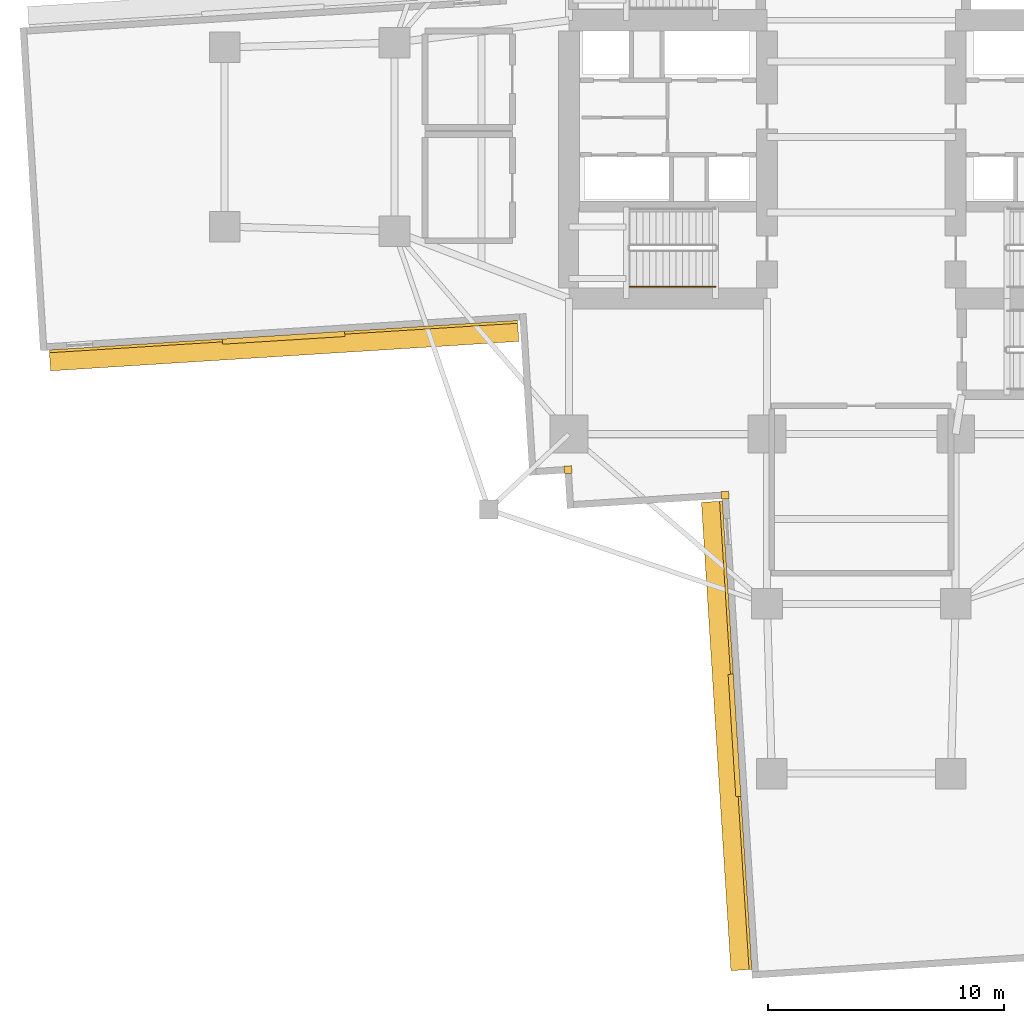
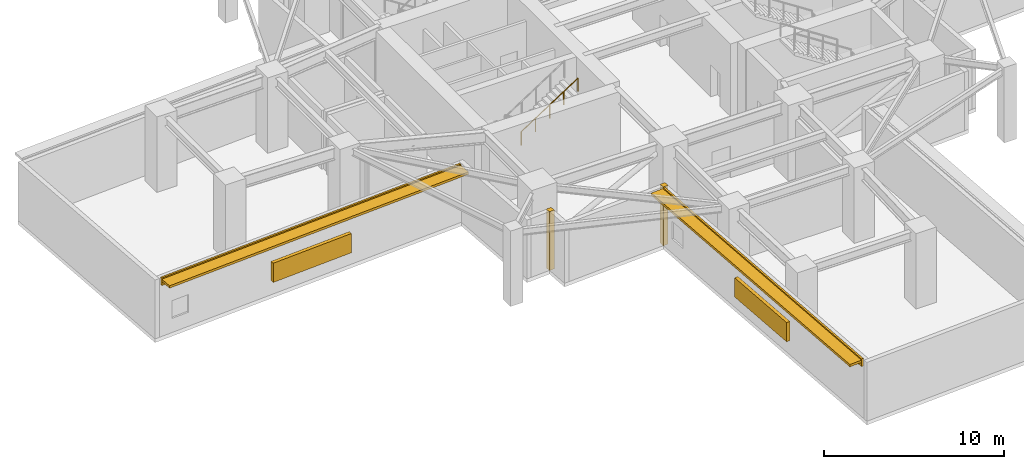
# One storey, part 7 of 11: 4 coverings, 4 shading devices, 1 railing.
"""IFC4 building model written with IfcOpenShell, lengths in metres."""

from ifc_helpers import new_model, si_unit, direction, frame, origin, origin_2d, place, context, subcontext, project, spatial, rectangle, circle, extrude, material, layer, layer_set, type_object, element, save


model = new_model("IFC4")

# Units and contexts
model_context = context("Model", 3, precision=1e-05, world=origin(), true_north=direction((0.0, 1.0)))
body_context = subcontext(model_context, "Body", "Model", "MODEL_VIEW")
ifc_project = project(units=[si_unit("LENGTHUNIT", "METRE"), si_unit("AREAUNIT", "SQUARE_METRE"), si_unit("VOLUMEUNIT", "CUBIC_METRE"), si_unit("PLANEANGLEUNIT", "RADIAN"), si_unit("MASSUNIT", "GRAM", prefix="KILO")], contexts=[model_context])

# Site, building, storey
site_placement = place(None, origin())
site = spatial("IfcSite", under=ifc_project, at=site_placement, CompositionType="ELEMENT")
building_placement = place(site_placement, origin())
building = spatial("IfcBuilding", under=site, at=building_placement, Name="Qingluan Cross Belvedere", CompositionType="ELEMENT")
storey_placement = place(building_placement, frame((0.0, 0.0, 47.10009765625)))
storey = spatial("IfcBuildingStorey", under=building, at=storey_placement, Name="L12", CompositionType="ELEMENT", Elevation=47.10009765625)

# Coverings
ifc_material_1 = material(Name="Precast concrete C45", Category="concrete")
ifc_layer_1 = layer(ifc_material_1, 0.1201171875, Name="ConcreteSpandrelCladding_120")
ifc_layer_set_1 = layer_set([ifc_layer_1], Name="Precast concrete C45")
covering_type = type_object("IfcCoveringType", Name="ConcreteSpandrelCladding_120", PredefinedType="CLADDING", material=ifc_layer_set_1)
for number, where, z_axis, x_axis, name in (
    (1, (-24.5068359375, -8.465576171875, 3.519775390625), (0.0, 0.0, 1.0), (0.998026688207, 0.062791158819, 0.0), "Spandrel cladding L12-WB"),
    (2, (-5.3271484375, -25.37451171875, 3.519775390625), (0.0, 0.0, 1.0), (0.062786203294, -0.998026999973, 0.0), "Spandrel cladding L12-SA"),
):
    element("IfcCovering", number, at=place(storey_placement, frame(where, z_axis=z_axis, x_axis=x_axis)), inside=storey, type_object=covering_type, Name=name, PredefinedType="CLADDING", context=body_context, shape_type="SweptSolid", body=[
        extrude(rectangle(XDim=19.89990234375, YDim=0.1201171875, at=origin_2d()), origin(), (0.0, 0.0, 1.0), 0.52001953125),
    ])
for number, where, z_axis, x_axis, name in (
    (3, (-12.438720703125, -14.10888671875, 0.0), (0.0, 0.0, 1.0), (0.998026728428, 0.062790519529, 0.0), "Corner closure L12-SW1"),
    (4, (-5.77734375, -15.192626953125, 0.0), (0.0, 0.0, 1.0), (0.998026728428, 0.062790519529, 0.0), "Corner closure L12-SW2"),
):
    element("IfcCovering", number, at=place(storey_placement, frame(where, z_axis=z_axis, x_axis=x_axis)), inside=storey, type_object=covering_type, Name=name, PredefinedType="CLADDING", context=body_context, shape_type="SweptSolid", body=[
        extrude(rectangle(XDim=0.320068359375, YDim=0.320068359375, at=origin_2d()), origin(), (0.0, 0.0, 1.0), 3.97998046875),
    ])

# Shading devices
ifc_material_2 = material(Name="Precast concrete C45", Category="concrete")
ifc_layer_2 = layer(ifc_material_2, 0.159912109375, Name="ConcreteSunshadeBand_900")
ifc_layer_set_2 = layer_set([ifc_layer_2], Name="Precast concrete C45")
shading_device_type_1 = type_object("IfcShadingDeviceType", Name="ConcreteSunshadeBand_900", PredefinedType="USERDEFINED", material=ifc_layer_set_2)
for number, where, z_axis, x_axis, name in (
    (5, (-24.48291015625, -8.8447265625, 3.7998046875), (0.0, 0.0, 1.0), (0.998026688207, 0.062791158819, 0.0), "Concrete SUNSHADE L12-WB"),
    (6, (-5.70654296875, -25.3984375, 3.7998046875), (0.0, 0.0, 1.0), (0.062786203294, -0.998026999973, 0.0), "Concrete SUNSHADE L12-SA"),
):
    element("IfcShadingDevice", number, at=place(storey_placement, frame(where, z_axis=z_axis, x_axis=x_axis)), inside=storey, type_object=shading_device_type_1, Name=name, ObjectType="SUNSHADE", PredefinedType="USERDEFINED", context=body_context, shape_type="SweptSolid", body=[
        extrude(rectangle(XDim=19.89990234375, YDim=0.89990234375, at=origin_2d()), origin(), (0.0, 0.0, 1.0), 0.159912109375),
    ])
ifc_material_3 = material(Name="Anodised aluminium acoustic louvre screen", Category="aluminium")
ifc_layer_3 = layer(ifc_material_3, 0.219970703125, Name="RefugeAcousticLouvre_Screen")
ifc_layer_set_3 = layer_set([ifc_layer_3], Name="Anodised aluminium acoustic louvre screen")
shading_device_type_2 = type_object("IfcShadingDeviceType", Name="RefugeAcousticLouvre_Screen", PredefinedType="JALOUSIE", material=ifc_layer_set_3)
for number, where, z_axis, x_axis, name in (
    (7, (-24.503662109375, -8.515380859375, 0.94970703125), (0.0, 0.0, 1.0), (0.998026688207, 0.062791158819, 0.0), "Plant acoustic louvre SCREEN L12-WB"),
    (8, (-5.377197265625, -25.377685546875, 0.94970703125), (0.0, 0.0, 1.0), (0.062786203294, -0.998026999973, 0.0), "Plant acoustic louvre SCREEN L12-SA"),
):
    element("IfcShadingDevice", number, at=place(storey_placement, frame(where, z_axis=z_axis, x_axis=x_axis)), inside=storey, type_object=shading_device_type_2, Name=name, PredefinedType="JALOUSIE", context=body_context, shape_type="SweptSolid", body=[
        extrude(rectangle(XDim=5.199951171875, YDim=0.219970703125, at=origin_2d()), origin(), (0.0, 0.0, 1.0), 1.300048828125),
    ])

# Railing
ifc_material_4 = material(Name="Brushed stainless steel tubular handrail", Category="steel")
railing_type = type_object("IfcRailingType", Name="StairPitchHandrail_900", PredefinedType="HANDRAIL", material=ifc_material_4)
railing_placement = place(storey_placement, frame((-9.820068359375, -6.35009765625, 2.73193359375)))
element("IfcRailing", 9, at=railing_placement, inside=storey, type_object=railing_type, Name="L12 ST1 stair handrail 2", PredefinedType="HANDRAIL", context=body_context, shape_type="SweptSolid", body=[
    extrude(circle(Radius=0.02392578125, at=origin_2d()), frame((0.0, 0.0, 0.8759765625), z_axis=(0.83825089185, 0.0, 0.545284735081), x_axis=(0.0, 1.0, 0.0)), (0.0, 0.0, 1.0), 4.342529296875),
    extrude(circle(Radius=0.02099609375, at=origin_2d()), origin(), (0.0, 0.0, 1.0), 0.851806640625),
    extrude(circle(Radius=0.02099609375, at=origin_2d()), frame((0.91015625, 0.0, 0.592041015625)), (0.0, 0.0, 1.0), 0.851806640625),
    extrude(circle(Radius=0.02099609375, at=origin_2d()), frame((1.820068359375, 0.0, 1.18408203125)), (0.0, 0.0, 1.0), 0.851806640625),
    extrude(circle(Radius=0.02099609375, at=origin_2d()), frame((2.72998046875, 0.0, 1.77587890625)), (0.0, 0.0, 1.0), 0.851806640625),
    extrude(circle(Radius=0.02099609375, at=origin_2d()), frame((3.64013671875, 0.0, 2.367919921875)), (0.0, 0.0, 1.0), 0.851806640625),
])

save(model, "model.ifc")
